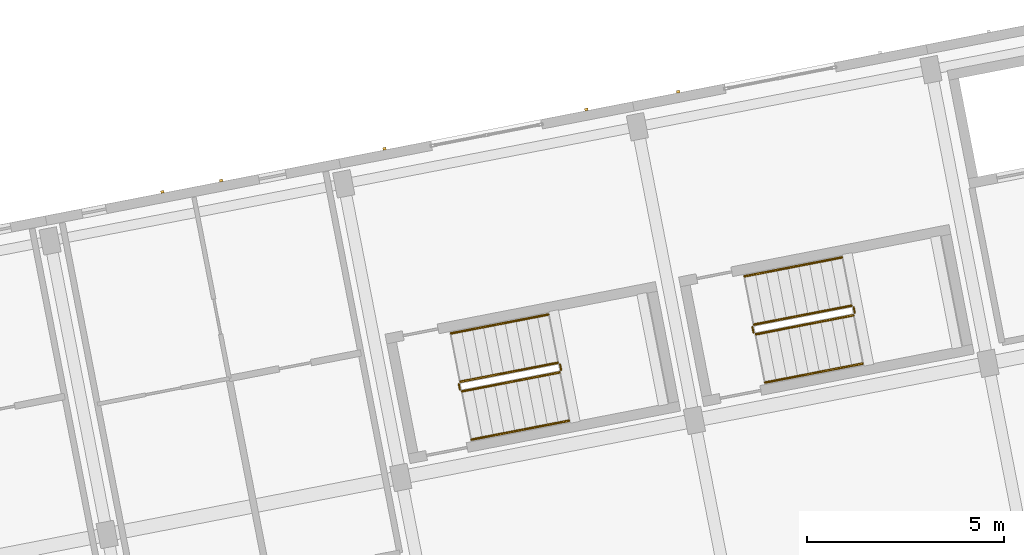
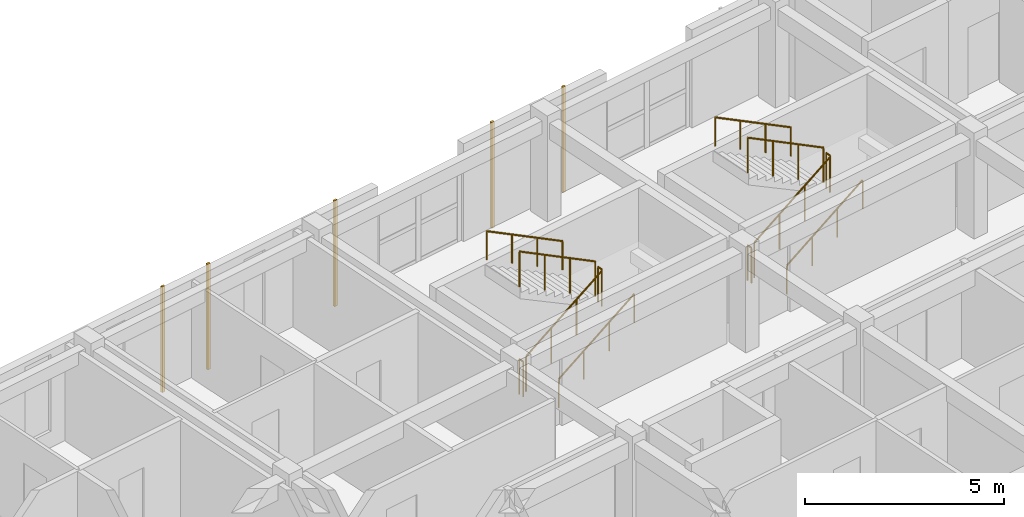
# One storey, part 63 of 68: 12 railings, 5 coverings.
"""IFC4 building model written with IfcOpenShell, lengths in metres."""

from ifc_helpers import new_model, si_unit, direction, frame, origin, origin_2d, place, context, subcontext, project, spatial, rectangle, circle, extrude, material, layer, layer_set, type_object, element, save


model = new_model("IFC4")

# Units and contexts
model_context = context("Model", 3, precision=1e-05, world=origin(), true_north=direction((0.0, 1.0)))
body_context = subcontext(model_context, "Body", "Model", "MODEL_VIEW")
ifc_project = project(units=[si_unit("LENGTHUNIT", "METRE"), si_unit("AREAUNIT", "SQUARE_METRE"), si_unit("VOLUMEUNIT", "CUBIC_METRE"), si_unit("PLANEANGLEUNIT", "RADIAN"), si_unit("MASSUNIT", "GRAM", prefix="KILO")], contexts=[model_context])

# Site, building, storey
site_placement = place(None, origin())
site = spatial("IfcSite", under=ifc_project, at=site_placement, CompositionType="ELEMENT")
building_placement = place(site_placement, origin())
building = spatial("IfcBuilding", under=site, at=building_placement, Name="Kestramere Prow Commons", CompositionType="ELEMENT")
storey_placement = place(building_placement, frame((0.0, 0.0, 18.14990234375)))
storey = spatial("IfcBuildingStorey", under=building, at=storey_placement, Name="L05", CompositionType="ELEMENT", Elevation=18.14990234375)

# Coverings
ifc_material_1 = material(Name="Weathered Zinc-Titanium Standing-Seam Cladding")
ifc_layer = layer(ifc_material_1, 0.074951171875)
ifc_layer_set = layer_set([ifc_layer], Name="Weathered Zinc-Titanium Standing-Seam Cladding")
covering_type = type_object("IfcCoveringType", Name="COV-CLAD-SEAM", PredefinedType="CLADDING", material=ifc_layer_set)
for number, where, z_axis, x_axis, name in (
    (1, (132.435791015625, 57.38525390625, -0.25), (0.0, 0.0, 1.0), (0.981627183448, 0.190808995377, 0.0), "EW-D-L05-N-2 Standing-Seam Rib 2"),
    (2, (133.927734375, 57.67529296875, -0.25), (0.0, 0.0, 1.0), (0.981627183448, 0.190808995377, 0.0), "EW-D-L05-N-2 Standing-Seam Rib 3"),
    (3, (138.07763671875, 58.48193359375, -0.25), (0.0, 0.0, 1.0), (0.981627183448, 0.190808995377, 0.0), "EW-D-L05-NP-3-L Standing-Seam Rib 1"),
    (4, (143.20654296875, 59.47900390625, -0.25), (0.0, 0.0, 1.0), (0.981627183448, 0.190808995377, 0.0), "EW-D-L05-NP-3-R Standing-Seam Rib 1"),
    (5, (145.5380859375, 59.93212890625, -0.25), (0.0, 0.0, 1.0), (0.981627183448, 0.190808995377, 0.0), "EW-D-L05-NP-4-L Standing-Seam Rib 1"),
):
    element("IfcCovering", number, at=place(storey_placement, frame(where, z_axis=z_axis, x_axis=x_axis)), inside=storey, type_object=covering_type, Name=name, PredefinedType="CLADDING", context=body_context, shape_type="SweptSolid", body=[
        extrude(rectangle(XDim=0.0849609375, YDim=0.06494140625, at=origin_2d()), origin(), (0.0, 0.0, 1.0), 3.25),
    ])

# Railings
ifc_material_2 = material(Name="Galvanised Steel S275JR", Category="steel")
railing_type_1 = type_object("IfcRailingType", Name="RL-ST-GR-1100", PredefinedType="GUARDRAIL", material=ifc_material_2)
railing_1_placement = place(storey_placement, frame((140.052490234375, 52.318115234375, 0.16259765625)))
element("IfcRailing", 6, at=railing_1_placement, inside=storey, type_object=railing_type_1, Name="L05 ST-D1 stair guard 1", PredefinedType="GUARDRAIL", context=body_context, shape_type="SweptSolid", body=[
    extrude(circle(Radius=0.02392578125, at=origin_2d()), frame((0.0, 0.0, 1.076171875), z_axis=(0.849043739131, 0.164982445707, 0.501901904411), x_axis=(-0.190747789018, 0.981639078778, 0.0)), (0.0, 0.0, 1.0), 2.913818359375),
    extrude(circle(Radius=0.02099609375, at=origin_2d()), origin(), (0.0, 0.0, 1.0), 1.052001953125),
    extrude(circle(Radius=0.02099609375, at=origin_2d()), frame((0.82470703125, 0.16015625, 0.487548828125)), (0.0, 0.0, 1.0), 1.052001953125),
    extrude(circle(Radius=0.02099609375, at=origin_2d()), frame((1.649169921875, 0.320556640625, 0.974853515625)), (0.0, 0.0, 1.0), 1.052001953125),
    extrude(circle(Radius=0.02099609375, at=origin_2d()), frame((2.473876953125, 0.480712890625, 1.46240234375)), (0.0, 0.0, 1.0), 1.052001953125),
])
railing_2_placement = place(storey_placement, frame((142.56591796875, 52.857421875, 1.625)))
element("IfcRailing", 7, at=railing_2_placement, inside=storey, type_object=railing_type_1, Name="L05 ST-D1 stair guard 2", PredefinedType="GUARDRAIL", context=body_context, shape_type="SweptSolid", body=[
    extrude(circle(Radius=0.02392578125, at=origin_2d()), frame((0.0, 0.0, 1.076171875), z_axis=(-0.191739424664, 0.981445868619, 0.0), x_axis=(-0.981445868619, -0.191739424664, 0.0)), (0.0, 0.0, 1.0), 0.150146484375),
    extrude(circle(Radius=0.02099609375, at=origin_2d()), origin(), (0.0, 0.0, 1.0), 1.052001953125),
    extrude(circle(Radius=0.02099609375, at=origin_2d()), frame((-0.02880859375, 0.1474609375, 0.0)), (0.0, 0.0, 1.0), 1.052001953125),
])
railing_3_placement = place(storey_placement, frame((142.478515625, 53.044189453125, 1.78759765625)))
element("IfcRailing", 8, at=railing_3_placement, inside=storey, type_object=railing_type_1, Name="L05 ST-D1 stair guard 3", PredefinedType="GUARDRAIL", context=body_context, shape_type="SweptSolid", body=[
    extrude(circle(Radius=0.02392578125, at=origin_2d()), frame((0.0, 0.0, 1.076171875), z_axis=(-0.849020348783, -0.164994183454, 0.501937612437), x_axis=(0.190765930203, -0.981635553489, 0.0)), (0.0, 0.0, 1.0), 2.91357421875),
    extrude(circle(Radius=0.02099609375, at=origin_2d()), origin(), (0.0, 0.0, 1.0), 1.052001953125),
    extrude(circle(Radius=0.02099609375, at=origin_2d()), frame((-0.824462890625, -0.16015625, 0.487548828125)), (0.0, 0.0, 1.0), 1.052001953125),
    extrude(circle(Radius=0.02099609375, at=origin_2d()), frame((-1.649169921875, -0.320556640625, 0.974853515625)), (0.0, 0.0, 1.0), 1.052001953125),
    extrude(circle(Radius=0.02099609375, at=origin_2d()), frame((-2.4736328125, -0.480712890625, 1.46240234375)), (0.0, 0.0, 1.0), 1.052001953125),
])
railing_4_placement = place(storey_placement, frame((139.993896484375, 52.357666015625, 0.0)))
element("IfcRailing", 9, at=railing_4_placement, inside=storey, type_object=railing_type_1, Name="L05 ST-D1 stair guard 4", PredefinedType="GUARDRAIL", context=body_context, shape_type="SweptSolid", body=[
    extrude(circle(Radius=0.02392578125, at=origin_2d()), frame((0.0, 0.0, 1.076171875), z_axis=(-0.190477468355, 0.981691567677, 0.0), x_axis=(-0.981691567677, -0.190477468355, 0.0)), (0.0, 0.0, 1.0), 0.14990234375),
    extrude(circle(Radius=0.02099609375, at=origin_2d()), origin(), (0.0, 0.0, 1.0), 1.052001953125),
    extrude(circle(Radius=0.02099609375, at=origin_2d()), frame((-0.028564453125, 0.147216796875, 0.0)), (0.0, 0.0, 1.0), 1.052001953125),
])
railing_5_placement = place(storey_placement, frame((147.512939453125, 53.768310546875, 0.16259765625)))
element("IfcRailing", 10, at=railing_5_placement, inside=storey, type_object=railing_type_1, Name="L05 ST-D2 stair guard 1", PredefinedType="GUARDRAIL", context=body_context, shape_type="SweptSolid", body=[
    extrude(circle(Radius=0.02392578125, at=origin_2d()), frame((0.0, 0.0, 1.076171875), z_axis=(0.849020348783, 0.164994183454, 0.501937612437), x_axis=(-0.190765930203, 0.981635553489, 0.0)), (0.0, 0.0, 1.0), 2.91357421875),
    extrude(circle(Radius=0.02099609375, at=origin_2d()), origin(), (0.0, 0.0, 1.0), 1.052001953125),
    extrude(circle(Radius=0.02099609375, at=origin_2d()), frame((0.824462890625, 0.16015625, 0.487548828125)), (0.0, 0.0, 1.0), 1.052001953125),
    extrude(circle(Radius=0.02099609375, at=origin_2d()), frame((1.649169921875, 0.320556640625, 0.974853515625)), (0.0, 0.0, 1.0), 1.052001953125),
    extrude(circle(Radius=0.02099609375, at=origin_2d()), frame((2.4736328125, 0.480712890625, 1.46240234375)), (0.0, 0.0, 1.0), 1.052001953125),
])
railing_6_placement = place(storey_placement, frame((150.026123046875, 54.3076171875, 1.625)))
element("IfcRailing", 11, at=railing_6_placement, inside=storey, type_object=railing_type_1, Name="L05 ST-D2 stair guard 2", PredefinedType="GUARDRAIL", context=body_context, shape_type="SweptSolid", body=[
    extrude(circle(Radius=0.02392578125, at=origin_2d()), frame((0.0, 0.0, 1.076171875), z_axis=(-0.190477468355, 0.981691567677, 0.0), x_axis=(-0.981691567677, -0.190477468355, 0.0)), (0.0, 0.0, 1.0), 0.14990234375),
    extrude(circle(Radius=0.02099609375, at=origin_2d()), origin(), (0.0, 0.0, 1.0), 1.052001953125),
    extrude(circle(Radius=0.02099609375, at=origin_2d()), frame((-0.028564453125, 0.147216796875, 0.0)), (0.0, 0.0, 1.0), 1.052001953125),
])
railing_7_placement = place(storey_placement, frame((149.93896484375, 54.494384765625, 1.78759765625)))
element("IfcRailing", 12, at=railing_7_placement, inside=storey, type_object=railing_type_1, Name="L05 ST-D2 stair guard 3", PredefinedType="GUARDRAIL", context=body_context, shape_type="SweptSolid", body=[
    extrude(circle(Radius=0.02392578125, at=origin_2d()), frame((0.0, 0.0, 1.076171875), z_axis=(-0.849020348783, -0.164994183454, 0.501937612437), x_axis=(0.190765930203, -0.981635553489, 0.0)), (0.0, 0.0, 1.0), 2.91357421875),
    extrude(circle(Radius=0.02099609375, at=origin_2d()), origin(), (0.0, 0.0, 1.0), 1.052001953125),
    extrude(circle(Radius=0.02099609375, at=origin_2d()), frame((-0.824462890625, -0.16015625, 0.487548828125)), (0.0, 0.0, 1.0), 1.052001953125),
    extrude(circle(Radius=0.02099609375, at=origin_2d()), frame((-1.649169921875, -0.320556640625, 0.974853515625)), (0.0, 0.0, 1.0), 1.052001953125),
    extrude(circle(Radius=0.02099609375, at=origin_2d()), frame((-2.4736328125, -0.480712890625, 1.46240234375)), (0.0, 0.0, 1.0), 1.052001953125),
])
railing_8_placement = place(storey_placement, frame((147.454345703125, 53.807861328125, 0.0)))
element("IfcRailing", 13, at=railing_8_placement, inside=storey, type_object=railing_type_1, Name="L05 ST-D2 stair guard 4", PredefinedType="GUARDRAIL", context=body_context, shape_type="SweptSolid", body=[
    extrude(circle(Radius=0.02392578125, at=origin_2d()), frame((0.0, 0.0, 1.076171875), z_axis=(-0.190477468355, 0.981691567677, 0.0), x_axis=(-0.981691567677, -0.190477468355, 0.0)), (0.0, 0.0, 1.0), 0.14990234375),
    extrude(circle(Radius=0.02099609375, at=origin_2d()), origin(), (0.0, 0.0, 1.0), 1.052001953125),
    extrude(circle(Radius=0.02099609375, at=origin_2d()), frame((-0.028564453125, 0.147216796875, 0.0)), (0.0, 0.0, 1.0), 1.052001953125),
])
ifc_material_3 = material(Name="Stainless Steel 304", Category="steel")
railing_type_2 = type_object("IfcRailingType", Name="RL-ST-HR-900", PredefinedType="HANDRAIL", material=ifc_material_3)
railing_9_placement = place(storey_placement, frame((140.291015625, 51.091064453125, 0.3251953125)))
element("IfcRailing", 14, at=railing_9_placement, inside=storey, type_object=railing_type_2, Name="L05 ST-D1 stair handrail 1", PredefinedType="HANDRAIL", context=body_context, shape_type="SweptSolid", body=[
    extrude(circle(Radius=0.02392578125, at=origin_2d()), frame((0.0, 0.0, 0.8759765625), z_axis=(0.849043739131, 0.164982445707, 0.501901904411), x_axis=(-0.190747789018, 0.981639078778, 0.0)), (0.0, 0.0, 1.0), 2.913818359375),
    extrude(circle(Radius=0.02099609375, at=origin_2d()), origin(), (0.0, 0.0, 1.0), 0.851806640625),
    extrude(circle(Radius=0.02099609375, at=origin_2d()), frame((0.82470703125, 0.16015625, 0.487548828125)), (0.0, 0.0, 1.0), 0.851806640625),
    extrude(circle(Radius=0.02099609375, at=origin_2d()), frame((1.649169921875, 0.320556640625, 0.974853515625)), (0.0, 0.0, 1.0), 0.851806640625),
    extrude(circle(Radius=0.02099609375, at=origin_2d()), frame((2.473876953125, 0.480712890625, 1.46240234375)), (0.0, 0.0, 1.0), 0.851806640625),
])
railing_10_placement = place(storey_placement, frame((142.239990234375, 54.271240234375, 1.9501953125)))
element("IfcRailing", 15, at=railing_10_placement, inside=storey, type_object=railing_type_2, Name="L05 ST-D1 stair handrail 2", PredefinedType="HANDRAIL", context=body_context, shape_type="SweptSolid", body=[
    extrude(circle(Radius=0.02392578125, at=origin_2d()), frame((0.0, 0.0, 0.8759765625), z_axis=(-0.849020348783, -0.164994183454, 0.501937612437), x_axis=(0.190765930203, -0.981635553489, 0.0)), (0.0, 0.0, 1.0), 2.91357421875),
    extrude(circle(Radius=0.02099609375, at=origin_2d()), origin(), (0.0, 0.0, 1.0), 0.851806640625),
    extrude(circle(Radius=0.02099609375, at=origin_2d()), frame((-0.824462890625, -0.16015625, 0.487548828125)), (0.0, 0.0, 1.0), 0.851806640625),
    extrude(circle(Radius=0.02099609375, at=origin_2d()), frame((-1.649169921875, -0.320556640625, 0.974853515625)), (0.0, 0.0, 1.0), 0.851806640625),
    extrude(circle(Radius=0.02099609375, at=origin_2d()), frame((-2.4736328125, -0.480712890625, 1.46240234375)), (0.0, 0.0, 1.0), 0.851806640625),
])
railing_11_placement = place(storey_placement, frame((147.75146484375, 52.541259765625, 0.3251953125)))
element("IfcRailing", 16, at=railing_11_placement, inside=storey, type_object=railing_type_2, Name="L05 ST-D2 stair handrail 1", PredefinedType="HANDRAIL", context=body_context, shape_type="SweptSolid", body=[
    extrude(circle(Radius=0.02392578125, at=origin_2d()), frame((0.0, 0.0, 0.8759765625), z_axis=(0.849020348783, 0.164994183454, 0.501937612437), x_axis=(-0.190765930203, 0.981635553489, 0.0)), (0.0, 0.0, 1.0), 2.91357421875),
    extrude(circle(Radius=0.02099609375, at=origin_2d()), origin(), (0.0, 0.0, 1.0), 0.851806640625),
    extrude(circle(Radius=0.02099609375, at=origin_2d()), frame((0.824462890625, 0.16015625, 0.487548828125)), (0.0, 0.0, 1.0), 0.851806640625),
    extrude(circle(Radius=0.02099609375, at=origin_2d()), frame((1.649169921875, 0.320556640625, 0.974853515625)), (0.0, 0.0, 1.0), 0.851806640625),
    extrude(circle(Radius=0.02099609375, at=origin_2d()), frame((2.4736328125, 0.480712890625, 1.46240234375)), (0.0, 0.0, 1.0), 0.851806640625),
])
railing_12_placement = place(storey_placement, frame((149.700439453125, 55.721435546875, 1.9501953125)))
element("IfcRailing", 17, at=railing_12_placement, inside=storey, type_object=railing_type_2, Name="L05 ST-D2 stair handrail 2", PredefinedType="HANDRAIL", context=body_context, shape_type="SweptSolid", body=[
    extrude(circle(Radius=0.02392578125, at=origin_2d()), frame((0.0, 0.0, 0.8759765625), z_axis=(-0.849020348783, -0.164994183454, 0.501937612437), x_axis=(0.190765930203, -0.981635553489, 0.0)), (0.0, 0.0, 1.0), 2.91357421875),
    extrude(circle(Radius=0.02099609375, at=origin_2d()), origin(), (0.0, 0.0, 1.0), 0.851806640625),
    extrude(circle(Radius=0.02099609375, at=origin_2d()), frame((-0.824462890625, -0.16015625, 0.487548828125)), (0.0, 0.0, 1.0), 0.851806640625),
    extrude(circle(Radius=0.02099609375, at=origin_2d()), frame((-1.649169921875, -0.320556640625, 0.974853515625)), (0.0, 0.0, 1.0), 0.851806640625),
    extrude(circle(Radius=0.02099609375, at=origin_2d()), frame((-2.4736328125, -0.480712890625, 1.46240234375)), (0.0, 0.0, 1.0), 0.851806640625),
])

save(model, "model.ifc")
